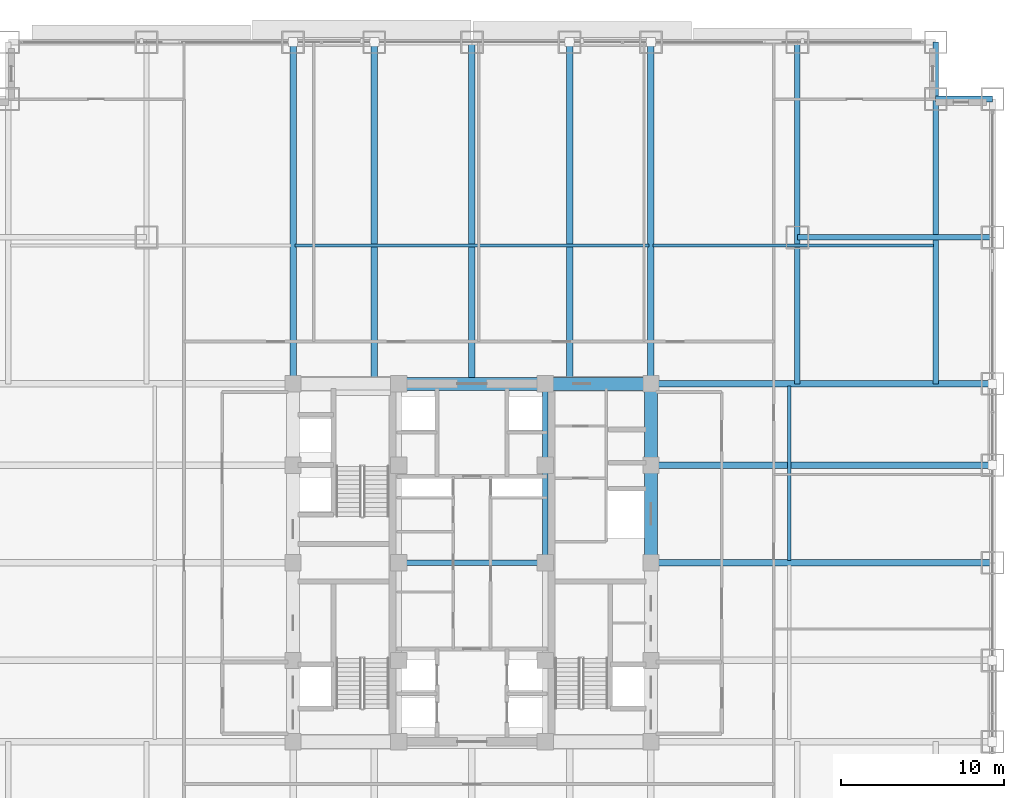
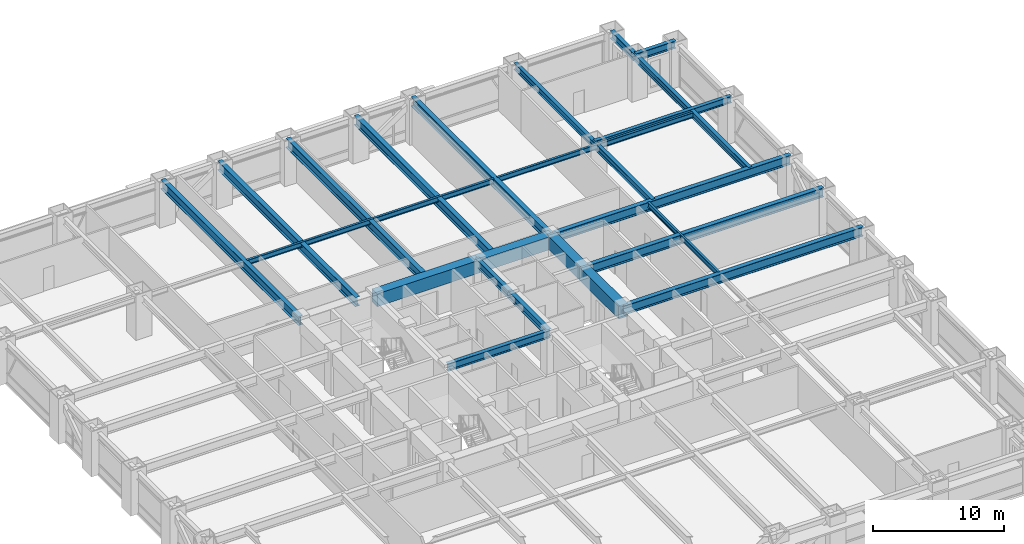
# One storey, part 15 of 31: 23 beams.
"""IFC4 building model written with IfcOpenShell, lengths in metres."""

from ifc_helpers import new_model, si_unit, direction, frame, origin, origin_2d, place, context, subcontext, project, spatial, rectangle, i_section, extrude, source, transform, mapped, material, material_profile, profile_set, type_object, element, save


model = new_model("IFC4")

# Units and contexts
model_context = context("Model", 3, precision=1e-05, world=origin(), true_north=direction((0.0, 1.0)))
body_context = subcontext(model_context, "Body", "Model", "MODEL_VIEW")
ifc_project = project(units=[si_unit("LENGTHUNIT", "METRE"), si_unit("AREAUNIT", "SQUARE_METRE"), si_unit("VOLUMEUNIT", "CUBIC_METRE"), si_unit("PLANEANGLEUNIT", "RADIAN"), si_unit("MASSUNIT", "GRAM", prefix="KILO")], contexts=[model_context])

# Site, building, storey
site_placement = place(None, origin())
site = spatial("IfcSite", under=ifc_project, at=site_placement, CompositionType="ELEMENT")
building_placement = place(site_placement, origin())
building = spatial("IfcBuilding", under=site, at=building_placement, Name="Khorayat Bourse Tower", CompositionType="ELEMENT")
storey_placement = place(building_placement, frame((0.0, 0.0, 41.0)))
storey = spatial("IfcBuildingStorey", under=building, at=storey_placement, Name="L08", CompositionType="ELEMENT", Elevation=41.0)

# Beams
ifc_material_1 = material(Name="Concrete C72/90", Category="concrete")
ifc_material_profile_1 = material_profile(ifc_material_1, rectangle(XDim=0.800048828125, YDim=1.199951171875, at=origin_2d()), Name="RC 800x1200")
ifc_profile_set_1 = profile_set([ifc_material_profile_1], Name="Concrete C72/90")
beam_type_1 = type_object("IfcBeamType", Name="BM-COUP-1200", PredefinedType="BEAM", material=ifc_profile_set_1)
shared_shape_1 = source(origin(), body_context, "Body", "SweptSolid", [
    extrude(rectangle(XDim=0.800048828125, YDim=1.199951171875, at=origin_2d()), origin(), (0.0, 0.0, 1.0), 5.0),
])
beam_1_placement = place(storey_placement, frame((11.0, 6.0, 3.340087890625), z_axis=(0.0, 1.0, 0.0), x_axis=(-1.0, 0.0, 0.0)))
element("IfcBeam", 1, at=beam_1_placement, inside=storey, type_object=beam_type_1, Name="L08 BM-COUP-1200 BM-L08-CRX-16", PredefinedType="BEAM", context=body_context, shape_type="MappedRepresentation", body=[
    mapped(shared_shape_1, transform((0.0, 0.0, 0.0), scale=1.0)),
])
shared_shape_2 = source(origin(), body_context, "Body", "SweptSolid", [
    extrude(rectangle(XDim=0.800048828125, YDim=1.199951171875, at=origin_2d()), origin(), (0.0, 0.0, 1.0), 6.0),
])
beam_2_placement = place(storey_placement, frame((11.0, 0.0, 3.340087890625), z_axis=(0.0, 1.0, 0.0), x_axis=(-1.0, 0.0, 0.0)))
element("IfcBeam", 2, at=beam_2_placement, inside=storey, type_object=beam_type_1, Name="L08 BM-COUP-1200 BM-L08-CRX-15", PredefinedType="BEAM", context=body_context, shape_type="MappedRepresentation", body=[
    mapped(shared_shape_2, transform((0.0, 0.0, 0.0), scale=1.0)),
])
ifc_material_2 = material(Name="Steel ASTM A992 Grade 50", Category="steel")
ifc_material_profile_2 = material_profile(ifc_material_2, i_section(OverallWidth=0.35498046875, OverallDepth=0.695068359375, WebThickness=0.015380859375, FlangeThickness=0.02490234375, FilletRadius=0.01806640625, at=origin_2d()), Name="W690X217")
ifc_profile_set_2 = profile_set([ifc_material_profile_2], Name="Steel ASTM A992 Grade 50")
beam_type_2 = type_object("IfcBeamType", Name="BM-GIRD-690", PredefinedType="BEAM", material=ifc_profile_set_2)
shared_shape_3 = source(origin(), body_context, "Body", "SweptSolid", [
    extrude(i_section(OverallWidth=0.35498046875, OverallDepth=0.695068359375, WebThickness=0.015380859375, FlangeThickness=0.02490234375, FilletRadius=0.01806640625, at=origin_2d()), origin(), (0.0, 0.0, 1.0), 5.0),
])
beam_3_placement = place(storey_placement, frame((4.5, 6.0, 3.592529296875), z_axis=(0.0, 1.0, 0.0), x_axis=(-1.0, 0.0, 0.0)))
element("IfcBeam", 3, at=beam_3_placement, inside=storey, type_object=beam_type_2, Name="L08 BM-GIRD-690 BM-L08-CRX-12", PredefinedType="BEAM", context=body_context, shape_type="MappedRepresentation", body=[
    mapped(shared_shape_3, transform((0.0, 0.0, 0.0), scale=1.0)),
])
shared_shape_4 = source(origin(), body_context, "Body", "SweptSolid", [
    extrude(i_section(OverallWidth=0.35498046875, OverallDepth=0.695068359375, WebThickness=0.015380859375, FlangeThickness=0.02490234375, FilletRadius=0.01806640625, at=origin_2d()), origin(), (0.0, 0.0, 1.0), 6.0),
])
beam_4_placement = place(storey_placement, frame((4.5, 0.0, 3.592529296875), z_axis=(0.0, 1.0, 0.0), x_axis=(-1.0, 0.0, 0.0)))
element("IfcBeam", 4, at=beam_4_placement, inside=storey, type_object=beam_type_2, Name="L08 BM-GIRD-690 BM-L08-CRX-11", PredefinedType="BEAM", context=body_context, shape_type="MappedRepresentation", body=[
    mapped(shared_shape_4, transform((0.0, 0.0, 0.0), scale=1.0)),
])
shared_shape_5 = source(origin(), body_context, "Body", "SweptSolid", [
    extrude(rectangle(XDim=0.800048828125, YDim=1.199951171875, at=origin_2d()), origin(), (0.0, 0.0, 1.0), 6.5),
])
beam_5_placement = place(storey_placement, frame((4.5, 11.0, 3.340087890625), z_axis=(1.0, 0.0, 0.0), x_axis=(0.0, 1.0, 0.0)))
element("IfcBeam", 5, at=beam_5_placement, inside=storey, type_object=beam_type_1, Name="L08 BM-COUP-1200 BM-L08-CRY-22", PredefinedType="BEAM", context=body_context, shape_type="MappedRepresentation", body=[
    mapped(shared_shape_5, transform((0.0, 0.0, 0.0), scale=1.0)),
])
shared_shape_6 = source(origin(), body_context, "Body", "SweptSolid", [
    extrude(rectangle(XDim=0.800048828125, YDim=1.199951171875, at=origin_2d()), origin(), (0.0, 0.0, 1.0), 9.0),
])
beam_6_placement = place(storey_placement, frame((-4.5, 11.0, 3.340087890625), z_axis=(1.0, 0.0, 0.0), x_axis=(0.0, 1.0, 0.0)))
element("IfcBeam", 6, at=beam_6_placement, inside=storey, type_object=beam_type_1, Name="L08 BM-COUP-1200 BM-L08-CRY-21", PredefinedType="BEAM", context=body_context, shape_type="MappedRepresentation", body=[
    mapped(shared_shape_6, transform((0.0, 0.0, 0.0), scale=1.0)),
])
shared_shape_7 = source(origin(), body_context, "Body", "SweptSolid", [
    extrude(i_section(OverallWidth=0.35498046875, OverallDepth=0.695068359375, WebThickness=0.015380859375, FlangeThickness=0.02490234375, FilletRadius=0.01806640625, at=origin_2d()), origin(), (0.0, 0.0, 1.0), 9.0),
])
beam_7_placement = place(storey_placement, frame((-4.5, 0.0, 3.592529296875), z_axis=(1.0, 0.0, 0.0), x_axis=(0.0, 1.0, 0.0)))
element("IfcBeam", 7, at=beam_7_placement, inside=storey, type_object=beam_type_2, Name="L08 BM-GIRD-690 BM-L08-CRY-23", PredefinedType="BEAM", context=body_context, shape_type="MappedRepresentation", body=[
    mapped(shared_shape_7, transform((0.0, 0.0, 0.0), scale=1.0)),
])
ifc_material_profile_3 = material_profile(ifc_material_2, i_section(OverallWidth=0.35498046875, OverallDepth=0.695068359375, WebThickness=0.015380859375, FlangeThickness=0.02490234375, FilletRadius=0.01806640625, at=origin_2d()), Name="W690X217")
ifc_profile_set_3 = profile_set([ifc_material_profile_3], Name="Steel ASTM A992 Grade 50")
beam_type_3 = type_object("IfcBeamType", Name="BM-SPAN-690", PredefinedType="SPANDREL", material=ifc_profile_set_3)
shared_shape_8 = source(origin(), body_context, "Body", "SweptSolid", [
    extrude(i_section(OverallWidth=0.35498046875, OverallDepth=0.695068359375, WebThickness=0.015380859375, FlangeThickness=0.02490234375, FilletRadius=0.01806640625, at=origin_2d()), origin(), (0.0, 0.0, 1.0), 3.5),
])
for number, where, z_axis, x_axis, name in (
    (8, (28.5, 28.5, 3.592529296875), (1.0, 0.0, 0.0), (0.0, 1.0, 0.0), "L08 BM-SPAN-690 BM-L08-SPN-042"),
    (9, (28.5, 28.5, 3.592529296875), (0.0, 1.0, 0.0), (-1.0, 0.0, 0.0), "L08 BM-SPAN-690 BM-L08-SPN-043"),
):
    element("IfcBeam", number, at=place(storey_placement, frame(where, z_axis=z_axis, x_axis=x_axis)), inside=storey, type_object=beam_type_3, Name=name, PredefinedType="SPANDREL", context=body_context, shape_type="MappedRepresentation", body=[
        mapped(shared_shape_8, transform((0.0, 0.0, 0.0), scale=1.0)),
    ])
ifc_material_profile_4 = material_profile(ifc_material_2, i_section(OverallWidth=0.39990234375, OverallDepth=0.85498046875, WebThickness=0.018310546875, FlangeThickness=0.029296875, FilletRadius=0.02001953125, at=origin_2d()), Name="W840X299")
ifc_profile_set_4 = profile_set([ifc_material_profile_4], Name="Steel ASTM A992 Grade 50")
beam_type_4 = type_object("IfcBeamType", Name="BM-GIRD-840", PredefinedType="BEAM", material=ifc_profile_set_4)
shared_shape_9 = source(origin(), body_context, "Body", "SweptSolid", [
    extrude(i_section(OverallWidth=0.39990234375, OverallDepth=0.85498046875, WebThickness=0.018310546875, FlangeThickness=0.029296875, FilletRadius=0.02001953125, at=origin_2d()), origin(), (0.0, 0.0, 1.0), 21.0),
])
for number, where, z_axis, x_axis, name in (
    (10, (-11.0, 11.0, 3.512451171875), (0.0, 1.0, 0.0), (-1.0, 0.0, 0.0), "L08 BM-GIRD-840 BM-L08-RADY-064"),
    (11, (-6.0, 11.0, 3.512451171875), (0.0, 1.0, 0.0), (-1.0, 0.0, 0.0), "L08 BM-GIRD-840 BM-L08-RADY-066"),
    (12, (0.0, 11.0, 3.512451171875), (0.0, 1.0, 0.0), (-1.0, 0.0, 0.0), "L08 BM-GIRD-840 BM-L08-RADY-068"),
    (13, (6.0, 11.0, 3.512451171875), (0.0, 1.0, 0.0), (-1.0, 0.0, 0.0), "L08 BM-GIRD-840 BM-L08-RADY-070"),
    (14, (11.0, 11.0, 3.512451171875), (0.0, 1.0, 0.0), (-1.0, 0.0, 0.0), "L08 BM-GIRD-840 BM-L08-RADY-072"),
    (15, (11.0, 0.0, 3.512451171875), (1.0, 0.0, 0.0), (0.0, 1.0, 0.0), "L08 BM-GIRD-840 BM-L08-RADX-078"),
    (16, (11.0, 6.0, 3.512451171875), (1.0, 0.0, 0.0), (0.0, 1.0, 0.0), "L08 BM-GIRD-840 BM-L08-RADX-080"),
    (17, (11.0, 11.0, 3.512451171875), (1.0, 0.0, 0.0), (0.0, 1.0, 0.0), "L08 BM-GIRD-840 BM-L08-RADX-082"),
):
    element("IfcBeam", number, at=place(storey_placement, frame(where, z_axis=z_axis, x_axis=x_axis)), inside=storey, type_object=beam_type_4, Name=name, PredefinedType="BEAM", context=body_context, shape_type="MappedRepresentation", body=[
        mapped(shared_shape_9, transform((0.0, 0.0, 0.0), scale=1.0)),
    ])
ifc_material_profile_5 = material_profile(ifc_material_2, i_section(OverallWidth=0.324951171875, OverallDepth=0.615966796875, WebThickness=0.013916015625, FlangeThickness=0.021484375, FilletRadius=0.01611328125, at=origin_2d()), Name="W610X174")
ifc_profile_set_5 = profile_set([ifc_material_profile_5], Name="Steel ASTM A992 Grade 50")
beam_type_5 = type_object("IfcBeamType", Name="BM-GIRD-610", PredefinedType="BEAM", material=ifc_profile_set_5)
shared_shape_10 = source(origin(), body_context, "Body", "SweptSolid", [
    extrude(i_section(OverallWidth=0.324951171875, OverallDepth=0.615966796875, WebThickness=0.013916015625, FlangeThickness=0.021484375, FilletRadius=0.01611328125, at=origin_2d()), origin(), (0.0, 0.0, 1.0), 21.0),
])
beam_8_placement = place(storey_placement, frame((20.0, 11.0, 3.632080078125), z_axis=(0.0, 1.0, 0.0), x_axis=(-1.0, 0.0, 0.0)))
element("IfcBeam", 18, at=beam_8_placement, inside=storey, type_object=beam_type_5, Name="L08 BM-GIRD-610 BM-L08-CNRY-087", PredefinedType="BEAM", context=body_context, shape_type="MappedRepresentation", body=[
    mapped(shared_shape_10, transform((0.0, 0.0, 0.0), scale=1.0)),
])
shared_shape_11 = source(origin(), body_context, "Body", "SweptSolid", [
    extrude(i_section(OverallWidth=0.324951171875, OverallDepth=0.615966796875, WebThickness=0.013916015625, FlangeThickness=0.021484375, FilletRadius=0.01611328125, at=origin_2d()), origin(), (0.0, 0.0, 1.0), 17.5),
])
beam_9_placement = place(storey_placement, frame((28.5, 11.0, 3.632080078125), z_axis=(0.0, 1.0, 0.0), x_axis=(-1.0, 0.0, 0.0)))
element("IfcBeam", 19, at=beam_9_placement, inside=storey, type_object=beam_type_5, Name="L08 BM-GIRD-610 BM-L08-CNRY-091", PredefinedType="BEAM", context=body_context, shape_type="MappedRepresentation", body=[
    mapped(shared_shape_11, transform((0.0, 0.0, 0.0), scale=1.0)),
])
shared_shape_12 = source(origin(), body_context, "Body", "SweptSolid", [
    extrude(i_section(OverallWidth=0.324951171875, OverallDepth=0.615966796875, WebThickness=0.013916015625, FlangeThickness=0.021484375, FilletRadius=0.01611328125, at=origin_2d()), origin(), (0.0, 0.0, 1.0), 12.0),
])
beam_10_placement = place(storey_placement, frame((20.0, 20.0, 3.632080078125), z_axis=(1.0, 0.0, 0.0), x_axis=(0.0, 1.0, 0.0)))
element("IfcBeam", 20, at=beam_10_placement, inside=storey, type_object=beam_type_5, Name="L08 BM-GIRD-610 BM-L08-CNRX-094", PredefinedType="BEAM", context=body_context, shape_type="MappedRepresentation", body=[
    mapped(shared_shape_12, transform((0.0, 0.0, 0.0), scale=1.0)),
])
ifc_material_profile_6 = material_profile(ifc_material_2, i_section(OverallWidth=0.194091796875, OverallDepth=0.468994140625, WebThickness=0.0126953125, FlangeThickness=0.0205078125, FilletRadius=0.012939453125, at=origin_2d()), Name="W460X106")
ifc_profile_set_6 = profile_set([ifc_material_profile_6], Name="Steel ASTM A992 Grade 50")
beam_type_6 = type_object("IfcBeamType", Name="BM-JOIST-460", PredefinedType="JOIST", material=ifc_profile_set_6)
shared_shape_13 = source(origin(), body_context, "Body", "SweptSolid", [
    extrude(i_section(OverallWidth=0.194091796875, OverallDepth=0.468994140625, WebThickness=0.0126953125, FlangeThickness=0.0205078125, FilletRadius=0.012939453125, at=origin_2d()), origin(), (0.0, 0.0, 1.0), 17.240234375),
])
beam_11_placement = place(storey_placement, frame((11.1298828125, 19.5, 3.70556640625), z_axis=(1.0, 0.0, 0.0), x_axis=(0.0, 1.0, 0.0)))
element("IfcBeam", 21, at=beam_11_placement, inside=storey, type_object=beam_type_6, Name="L08 BM-JOIST-460 BM-L08-JSTX-101", PredefinedType="JOIST", context=body_context, shape_type="MappedRepresentation", body=[
    mapped(shared_shape_13, transform((0.0, 0.0, 0.0), scale=1.0)),
])
shared_shape_14 = source(origin(), body_context, "Body", "SweptSolid", [
    extrude(i_section(OverallWidth=0.194091796875, OverallDepth=0.468994140625, WebThickness=0.0126953125, FlangeThickness=0.0205078125, FilletRadius=0.012939453125, at=origin_2d()), origin(), (0.0, 0.0, 1.0), 21.740234375),
])
beam_12_placement = place(storey_placement, frame((-10.8701171875, 19.5, 3.70556640625), z_axis=(1.0, 0.0, 0.0), x_axis=(0.0, 1.0, 0.0)))
element("IfcBeam", 22, at=beam_12_placement, inside=storey, type_object=beam_type_6, Name="L08 BM-JOIST-460 BM-L08-JSTX-100", PredefinedType="JOIST", context=body_context, shape_type="MappedRepresentation", body=[
    mapped(shared_shape_14, transform((0.0, 0.0, 0.0), scale=1.0)),
])
shared_shape_15 = source(origin(), body_context, "Body", "SweptSolid", [
    extrude(i_section(OverallWidth=0.194091796875, OverallDepth=0.468994140625, WebThickness=0.0126953125, FlangeThickness=0.0205078125, FilletRadius=0.012939453125, at=origin_2d()), origin(), (0.0, 0.0, 1.0), 10.740234375),
])
beam_13_placement = place(storey_placement, frame((19.5, 0.1298828125, 3.70556640625), z_axis=(0.0, 1.0, 0.0), x_axis=(-1.0, 0.0, 0.0)))
element("IfcBeam", 23, at=beam_13_placement, inside=storey, type_object=beam_type_6, Name="L08 BM-JOIST-460 BM-L08-JSTY-105", PredefinedType="JOIST", context=body_context, shape_type="MappedRepresentation", body=[
    mapped(shared_shape_15, transform((0.0, 0.0, 0.0), scale=1.0)),
])

save(model, "model.ifc")
